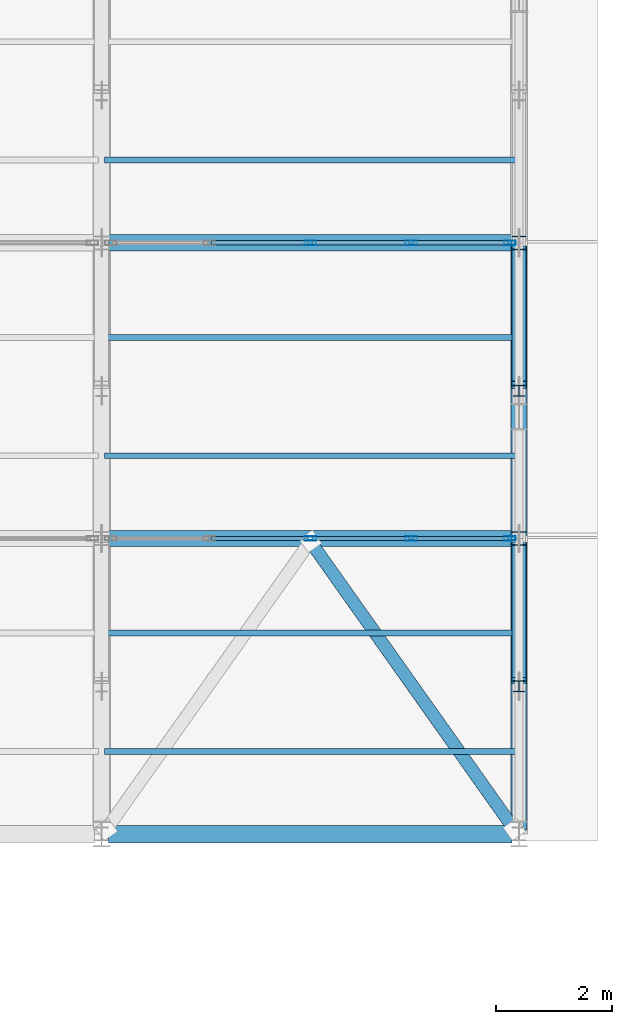
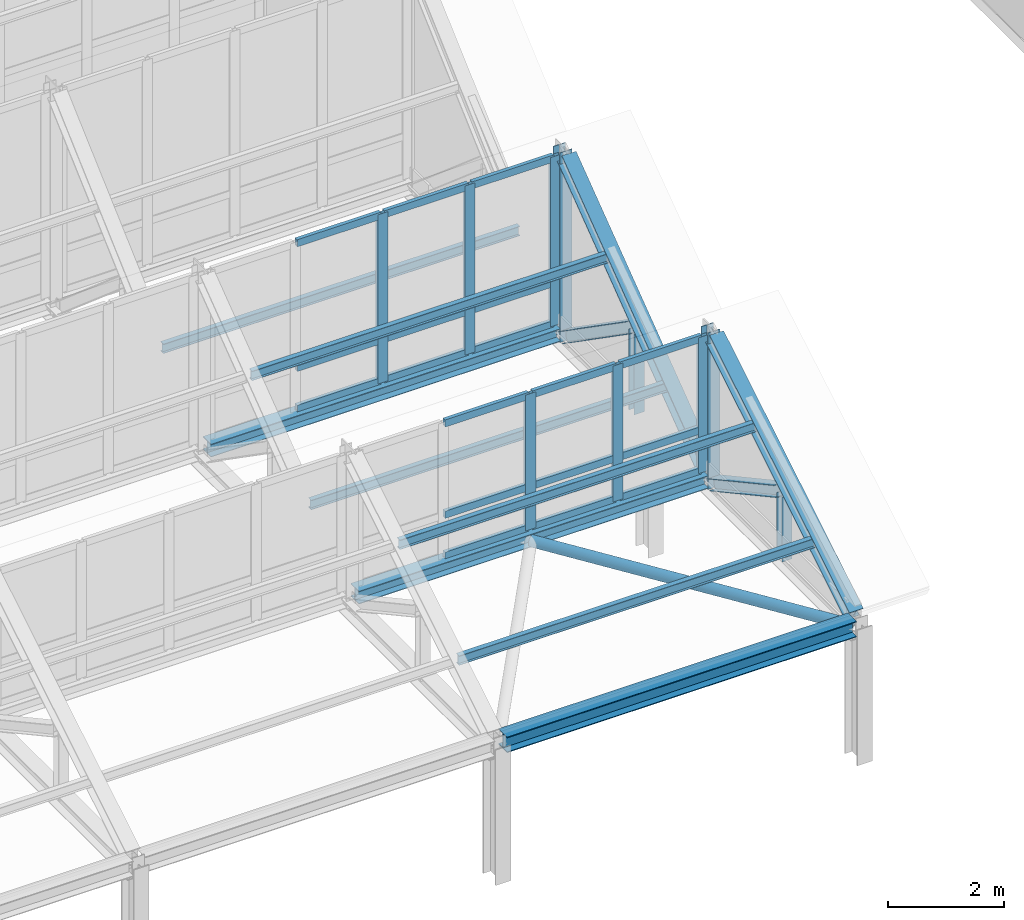
# One storey, part 31 of 157: 38 members, 3 beams, 2 elements without a shape of their own.
"""IFC4 building model written with IfcOpenShell, lengths in metres."""

from ifc_helpers import new_model, si_unit, direction, frame, origin, origin_2d, place, context, subcontext, project, spatial, hollow_rectangle, hollow_circle, i_section, extrude, material, material_profile, profile_set, type_object, element, aggregate, save


model = new_model("IFC4")

# Units and contexts
model_context = context("Model", 3, precision=1e-05, world=origin(), true_north=direction((0.0, 1.0)))
body_context = subcontext(model_context, "Body", "Model", "MODEL_VIEW")
ifc_project = project(units=[si_unit("LENGTHUNIT", "METRE"), si_unit("AREAUNIT", "SQUARE_METRE"), si_unit("VOLUMEUNIT", "CUBIC_METRE"), si_unit("PLANEANGLEUNIT", "RADIAN"), si_unit("MASSUNIT", "GRAM", prefix="KILO")], contexts=[model_context])

# Site, building, storey
site_placement = place(None, origin())
site = spatial("IfcSite", under=ifc_project, at=site_placement, CompositionType="ELEMENT")
building_placement = place(site_placement, origin())
building = spatial("IfcBuilding", under=site, at=building_placement, Name="Suanplinth Sawtooth Commons", CompositionType="ELEMENT")
storey_placement = place(building_placement, frame((0.0, 0.0, 9.0)))
storey = spatial("IfcBuildingStorey", under=building, at=storey_placement, Name="L02", CompositionType="ELEMENT", Elevation=9.0)

# Beams
ifc_material_1 = material(Name="Steel S355JR", Category="steel")
ifc_material_profile_1 = material_profile(ifc_material_1, i_section(OverallWidth=0.300048828125, OverallDepth=0.330078125, WebThickness=0.009521484375, FlangeThickness=0.0166015625, at=origin_2d()), Name="HEA 340")
ifc_profile_set_1 = profile_set([ifc_material_profile_1], Name="Steel S355JR")
beam_type_1 = type_object("IfcBeamType", Name="B-15", PredefinedType="USERDEFINED", material=ifc_profile_set_1)
beam_placement = place(storey_placement, frame((108.1201171875, 50.39990234375, 2.820068359375), z_axis=(1.0, 0.0, 0.0), x_axis=(0.0, 1.0, 0.0)))
element("IfcBeam", 1, at=beam_placement, inside=storey, type_object=beam_type_1, Name="Sawtooth Valley Girder T1-B7", ObjectType="GIRDER", PredefinedType="USERDEFINED", context=body_context, shape_type="SweptSolid", body=[
    extrude(i_section(OverallWidth=0.300048828125, OverallDepth=0.330078125, WebThickness=0.009521484375, FlangeThickness=0.0166015625, at=origin_2d()), origin(), (0.0, 0.0, 1.0), 6.9599609375),
])
ifc_material_profile_2 = material_profile(ifc_material_1, i_section(OverallWidth=0.280029296875, OverallDepth=0.27001953125, WebThickness=0.008056640625, FlangeThickness=0.012939453125, at=origin_2d()), Name="HEA 280")
ifc_profile_set_2 = profile_set([ifc_material_profile_2], Name="Steel S355JR")
beam_type_2 = type_object("IfcBeamType", Name="B-16", PredefinedType="USERDEFINED", material=ifc_profile_set_2)
for number, where, z_axis, x_axis, name in (
    (2, (108.1201171875, 55.5, 2.820068359375), (1.0, 0.0, 0.0), (0.0, 1.0, 0.0), "Sawtooth Valley Girder T2-B7"),
    (3, (108.1201171875, 60.60009765625, 2.820068359375), (1.0, 0.0, 0.0), (0.0, 1.0, 0.0), "Sawtooth Valley Girder T3-B7"),
):
    element("IfcBeam", number, at=place(storey_placement, frame(where, z_axis=z_axis, x_axis=x_axis)), inside=storey, type_object=beam_type_2, Name=name, ObjectType="GIRDER", PredefinedType="USERDEFINED", context=body_context, shape_type="SweptSolid", body=[
        extrude(i_section(OverallWidth=0.280029296875, OverallDepth=0.27001953125, WebThickness=0.008056640625, FlangeThickness=0.012939453125, at=origin_2d()), origin(), (0.0, 0.0, 1.0), 6.9599609375),
    ])

# Members
ifc_material_profile_3 = material_profile(ifc_material_1, i_section(OverallWidth=0.280029296875, OverallDepth=0.280029296875, WebThickness=0.010498046875, FlangeThickness=0.01806640625, at=origin_2d()), Name="HEB 280")
ifc_profile_set_3 = profile_set([ifc_material_profile_3], Name="Steel S355JR")
member_type_1 = type_object("IfcMemberType", Name="M-02", PredefinedType="CHORD", material=ifc_profile_set_3)
member_1_placement = place(storey_placement, frame((115.199951171875, 50.5400390625, 2.919921875), z_axis=(0.0, 0.855283356021, 0.51816057445), x_axis=(-1.0, 0.0, 0.0)))
element("IfcMember", 4, at=member_1_placement, inside=storey, type_object=member_type_1, Name="Sawtooth Truss T8 Top Chord 1", PredefinedType="CHORD", context=body_context, shape_type="SweptSolid", body=[
    extrude(i_section(OverallWidth=0.280029296875, OverallDepth=0.280029296875, WebThickness=0.010498046875, FlangeThickness=0.01806640625, at=origin_2d()), origin(), (0.0, 0.0, 1.0), 5.6357421875),
])
member_2_placement = place(storey_placement, frame((115.199951171875, 55.639892578125, 2.919921875), z_axis=(0.0, 0.799596436712, 0.600537707723), x_axis=(-1.0, 0.0, 0.0)))
element("IfcMember", 5, at=member_2_placement, inside=storey, type_object=member_type_1, Name="Sawtooth Truss T8 Top Chord 2", PredefinedType="CHORD", context=body_context, shape_type="SweptSolid", body=[
    extrude(i_section(OverallWidth=0.280029296875, OverallDepth=0.280029296875, WebThickness=0.010498046875, FlangeThickness=0.01806640625, at=origin_2d()), origin(), (0.0, 0.0, 1.0), 6.028076171875),
])
ifc_material_profile_4 = material_profile(ifc_material_1, i_section(OverallWidth=0.239990234375, OverallDepth=0.22998046875, WebThickness=0.007568359375, FlangeThickness=0.011962890625, at=origin_2d()), Name="HEA 240")
ifc_profile_set_4 = profile_set([ifc_material_profile_4], Name="Steel S355JR")
member_type_2 = type_object("IfcMemberType", Name="M-03", PredefinedType="BRACE", material=ifc_profile_set_4)
member_3_placement = place(storey_placement, frame((115.199951171875, 53.050048828125, 4.02001953125), z_axis=(0.0, 0.878022125023, -0.478620045517), x_axis=(-1.0, 0.0, 0.0)))
element("IfcMember", 6, at=member_3_placement, inside=storey, type_object=member_type_2, Name="Sawtooth Truss T8 Web Diagonal 1", PredefinedType="BRACE", context=body_context, shape_type="SweptSolid", body=[
    extrude(i_section(OverallWidth=0.239990234375, OverallDepth=0.22998046875, WebThickness=0.007568359375, FlangeThickness=0.011962890625, at=origin_2d()), origin(), (0.0, 0.0, 1.0), 2.653564453125),
])
member_4_placement = place(storey_placement, frame((115.199951171875, 58.14990234375, 4.3701171875), z_axis=(0.0, 0.821038438566, -0.570872912649), x_axis=(-1.0, 0.0, 0.0)))
element("IfcMember", 7, at=member_4_placement, inside=storey, type_object=member_type_2, Name="Sawtooth Truss T8 Web Diagonal 2", PredefinedType="BRACE", context=body_context, shape_type="SweptSolid", body=[
    extrude(i_section(OverallWidth=0.239990234375, OverallDepth=0.22998046875, WebThickness=0.007568359375, FlangeThickness=0.011962890625, at=origin_2d()), origin(), (0.0, 0.0, 1.0), 2.837890625),
])
ifc_material_profile_5 = material_profile(ifc_material_1, i_section(OverallWidth=0.199951171875, OverallDepth=0.18994140625, WebThickness=0.006591796875, FlangeThickness=0.010009765625, at=origin_2d()), Name="HEA 200")
ifc_profile_set_5 = profile_set([ifc_material_profile_5], Name="Steel S355JR")
member_type_3 = type_object("IfcMemberType", Name="M-04", PredefinedType="BRACE", material=ifc_profile_set_5)
member_5_placement = place(storey_placement, frame((115.199951171875, 52.949951171875, 2.64990234375), z_axis=(0.0, 0.0, 1.0), x_axis=(1.0, 0.0, 0.0)))
element("IfcMember", 8, at=member_5_placement, inside=storey, type_object=member_type_3, Name="Sawtooth Truss T8 Mid Web Post 1", PredefinedType="BRACE", context=body_context, shape_type="SweptSolid", body=[
    extrude(i_section(OverallWidth=0.199951171875, OverallDepth=0.18994140625, WebThickness=0.006591796875, FlangeThickness=0.010009765625, at=origin_2d()), origin(), (0.0, 0.0, 1.0), 1.35009765625),
])
member_6_placement = place(storey_placement, frame((115.199951171875, 58.050048828125, 2.64990234375), z_axis=(0.0, 0.0, 1.0), x_axis=(1.0, 0.0, 0.0)))
element("IfcMember", 9, at=member_6_placement, inside=storey, type_object=member_type_3, Name="Sawtooth Truss T8 Mid Web Post 2", PredefinedType="BRACE", context=body_context, shape_type="SweptSolid", body=[
    extrude(i_section(OverallWidth=0.199951171875, OverallDepth=0.18994140625, WebThickness=0.006591796875, FlangeThickness=0.010009765625, at=origin_2d()), origin(), (0.0, 0.0, 1.0), 1.7001953125),
])
ifc_material_profile_6 = material_profile(ifc_material_1, i_section(OverallWidth=0.239990234375, OverallDepth=0.239990234375, WebThickness=0.010009765625, FlangeThickness=0.01708984375, at=origin_2d()), Name="HEB 240")
ifc_profile_set_6 = profile_set([ifc_material_profile_6], Name="Steel S355JR")
member_type_4 = type_object("IfcMemberType", Name="M-05", PredefinedType="POST", material=ifc_profile_set_6)
member_7_placement = place(storey_placement, frame((115.199951171875, 55.5, 2.64990234375), z_axis=(0.0, 0.0, 1.0), x_axis=(1.0, 0.0, 0.0)))
element("IfcMember", 10, at=member_7_placement, inside=storey, type_object=member_type_4, Name="Sawtooth Truss T8 Clerestory Post 1", PredefinedType="POST", context=body_context, shape_type="SweptSolid", body=[
    extrude(i_section(OverallWidth=0.239990234375, OverallDepth=0.239990234375, WebThickness=0.010009765625, FlangeThickness=0.01708984375, at=origin_2d()), origin(), (0.0, 0.0, 1.0), 3.2900390625),
])
member_8_placement = place(storey_placement, frame((115.199951171875, 60.60009765625, 2.64990234375), z_axis=(0.0, 0.0, 1.0), x_axis=(1.0, 0.0, 0.0)))
element("IfcMember", 11, at=member_8_placement, inside=storey, type_object=member_type_4, Name="Sawtooth Truss T8 Clerestory Post 2", PredefinedType="POST", context=body_context, shape_type="SweptSolid", body=[
    extrude(i_section(OverallWidth=0.239990234375, OverallDepth=0.239990234375, WebThickness=0.010009765625, FlangeThickness=0.01708984375, at=origin_2d()), origin(), (0.0, 0.0, 1.0), 3.989990234375),
])
ifc_material_2 = material(Name="Steel SS400", Category="steel")
ifc_material_profile_7 = material_profile(ifc_material_2, i_section(OverallWidth=0.10009765625, OverallDepth=0.199951171875, WebThickness=0.005615234375, FlangeThickness=0.008544921875, at=origin_2d()), Name="IPE 200")
ifc_profile_set_7 = profile_set([ifc_material_profile_7], Name="Steel SS400")
member_type_5 = type_object("IfcMemberType", Name="M-06", PredefinedType="PURLIN", material=ifc_profile_set_7)
for number, where, z_axis, x_axis, name in (
    (12, (108.050048828125, 51.827880859375, 3.691162109375), (1.0, 0.0, 0.0), (0.0, 1.0, 0.0), "Sawtooth Roof Purlin T1-B7-P1"),
    (13, (108.050048828125, 53.867919921875, 4.89111328125), (1.0, 0.0, 0.0), (0.0, 1.0, 0.0), "Sawtooth Roof Purlin T1-B7-P2"),
    (14, (108.050048828125, 56.927978515625, 3.87353515625), (1.0, 0.0, 0.0), (0.0, 1.0, 0.0), "Sawtooth Roof Purlin T2-B7-P1"),
    (15, (108.050048828125, 58.968017578125, 5.353515625), (1.0, 0.0, 0.0), (0.0, 1.0, 0.0), "Sawtooth Roof Purlin T2-B7-P2"),
    (16, (108.050048828125, 62.028076171875, 4.067138671875), (1.0, 0.0, 0.0), (0.0, 1.0, 0.0), "Sawtooth Roof Purlin T3-B7-P1"),
):
    element("IfcMember", number, at=place(storey_placement, frame(where, z_axis=z_axis, x_axis=x_axis)), inside=storey, type_object=member_type_5, Name=name, PredefinedType="PURLIN", context=body_context, shape_type="SweptSolid", body=[
        extrude(i_section(OverallWidth=0.10009765625, OverallDepth=0.199951171875, WebThickness=0.005615234375, FlangeThickness=0.008544921875, at=origin_2d()), origin(), (0.0, 0.0, 1.0), 7.099853515625),
    ])
ifc_material_profile_8 = material_profile(ifc_material_1, hollow_circle(Radius=0.109619140625, WallThickness=0.010009765625, at=origin_2d()), Name="CHS 219.1x10")
ifc_profile_set_8 = profile_set([ifc_material_profile_8], Name="Steel S355JR")
member_type_6 = type_object("IfcMemberType", Name="M-08", PredefinedType="BRACE", material=ifc_profile_set_8)
member_9_placement = place(storey_placement, frame((115.1201171875, 50.47998046875, 2.75), z_axis=(-0.577976187019, 0.816053630125, 0.0), x_axis=(-0.816053630125, -0.577976187019, 0.0)))
element("IfcMember", 17, at=member_9_placement, inside=storey, type_object=member_type_6, Name="Sawtooth Roof Plan Brace B7-2", PredefinedType="BRACE", context=body_context, shape_type="SweptSolid", body=[
    extrude(hollow_circle(Radius=0.109619140625, WallThickness=0.010009765625, at=origin_2d()), origin(), (0.0, 0.0, 1.0), 6.09033203125),
])

# Curtain wall, members
ifc_material_3 = material(Name="Anodized aluminium and low-E glazing", Category="aluminium")
curtain_wall_type = type_object("IfcCurtainWallType", Name="CW-03", PredefinedType="USERDEFINED", material=ifc_material_3)
curtain_wall_1_placement = place(storey_placement, origin())
curtain_wall_1 = element("IfcCurtainWall", 18, at=curtain_wall_1_placement, inside=storey, type_object=curtain_wall_type, Name="Curtain Wall CW-SAW-T1-B7", ObjectType="CURTAIN WALL", PredefinedType="USERDEFINED")
ifc_material_4 = material(Name="Anodized aluminium 6063-T6", Category="aluminium")
ifc_material_profile_9 = material_profile(ifc_material_4, hollow_rectangle(XDim=0.074951171875, YDim=0.199951171875, WallThickness=0.0048828125, at=origin_2d()), Name="ALU-MUL 75x200")
ifc_profile_set_9 = profile_set([ifc_material_profile_9], Name="Anodized aluminium 6063-T6")
member_type_7 = type_object("IfcMemberType", Name="M-14", PredefinedType="MULLION", material=ifc_profile_set_9)
member_10_placement = place(storey_placement, frame((111.60009765625, 55.5, 2.97998046875), z_axis=(0.0, 0.0, 1.0), x_axis=(0.0, 1.0, 0.0)))
member_10 = element("IfcMember", 19, at=member_10_placement, type_object=member_type_7, Name="CW-03 mullion 3", PredefinedType="MULLION", context=body_context, shape_type="SweptSolid", body=[
    extrude(hollow_rectangle(XDim=0.074951171875, YDim=0.199951171875, WallThickness=0.0048828125, at=origin_2d()), origin(), (0.0, 0.0, 1.0), 2.860107421875),
])
member_11_placement = place(storey_placement, frame((113.340087890625, 55.5, 2.97998046875), z_axis=(0.0, 0.0, 1.0), x_axis=(0.0, 1.0, 0.0)))
member_11 = element("IfcMember", 20, at=member_11_placement, type_object=member_type_7, Name="CW-03 mullion 4", PredefinedType="MULLION", context=body_context, shape_type="SweptSolid", body=[
    extrude(hollow_rectangle(XDim=0.074951171875, YDim=0.199951171875, WallThickness=0.0048828125, at=origin_2d()), origin(), (0.0, 0.0, 1.0), 2.860107421875),
])
member_12_placement = place(storey_placement, frame((115.04248046875, 55.5, 2.97998046875), z_axis=(0.0, 0.0, 1.0), x_axis=(0.0, 1.0, 0.0)))
member_12 = element("IfcMember", 21, at=member_12_placement, type_object=member_type_7, Name="CW-03 mullion 5", PredefinedType="MULLION", context=body_context, shape_type="SweptSolid", body=[
    extrude(hollow_rectangle(XDim=0.074951171875, YDim=0.199951171875, WallThickness=0.0048828125, at=origin_2d()), origin(), (0.0, 0.0, 1.0), 2.860107421875),
])

curtain_wall_2_placement = place(storey_placement, origin())
curtain_wall_2 = element("IfcCurtainWall", 22, at=curtain_wall_2_placement, inside=storey, type_object=curtain_wall_type, Name="Curtain Wall CW-SAW-T2-B7", ObjectType="CURTAIN WALL", PredefinedType="USERDEFINED")
member_13_placement = place(storey_placement, frame((111.60009765625, 60.60009765625, 2.97998046875), z_axis=(0.0, 0.0, 1.0), x_axis=(0.0, 1.0, 0.0)))
member_13 = element("IfcMember", 23, at=member_13_placement, type_object=member_type_7, Name="CW-03 mullion 3", PredefinedType="MULLION", context=body_context, shape_type="SweptSolid", body=[
    extrude(hollow_rectangle(XDim=0.074951171875, YDim=0.199951171875, WallThickness=0.0048828125, at=origin_2d()), origin(), (0.0, 0.0, 1.0), 3.56005859375),
])
member_14_placement = place(storey_placement, frame((113.340087890625, 60.60009765625, 2.97998046875), z_axis=(0.0, 0.0, 1.0), x_axis=(0.0, 1.0, 0.0)))
member_14 = element("IfcMember", 24, at=member_14_placement, type_object=member_type_7, Name="CW-03 mullion 4", PredefinedType="MULLION", context=body_context, shape_type="SweptSolid", body=[
    extrude(hollow_rectangle(XDim=0.074951171875, YDim=0.199951171875, WallThickness=0.0048828125, at=origin_2d()), origin(), (0.0, 0.0, 1.0), 3.56005859375),
])
member_15_placement = place(storey_placement, frame((115.04248046875, 60.60009765625, 2.97998046875), z_axis=(0.0, 0.0, 1.0), x_axis=(0.0, 1.0, 0.0)))
member_15 = element("IfcMember", 25, at=member_15_placement, type_object=member_type_7, Name="CW-03 mullion 5", PredefinedType="MULLION", context=body_context, shape_type="SweptSolid", body=[
    extrude(hollow_rectangle(XDim=0.074951171875, YDim=0.199951171875, WallThickness=0.0048828125, at=origin_2d()), origin(), (0.0, 0.0, 1.0), 3.56005859375),
])

# Member
ifc_material_profile_10 = material_profile(ifc_material_4, hollow_rectangle(XDim=0.074951171875, YDim=0.14990234375, WallThickness=0.00439453125, at=origin_2d()), Name="ALU-TRN 75x150")
ifc_profile_set_10 = profile_set([ifc_material_profile_10], Name="Anodized aluminium 6063-T6")
member_type_8 = type_object("IfcMemberType", Name="M-16", PredefinedType="USERDEFINED", material=ifc_profile_set_10)
member_16_placement = place(storey_placement, frame((109.8974609375, 55.5, 3.017578125), z_axis=(1.0, 0.0, 0.0), x_axis=(0.0, 1.0, 0.0)))
member_16 = element("IfcMember", 26, at=member_16_placement, type_object=member_type_8, Name="CW-03 transom 2.1", ObjectType="TRANSOM", PredefinedType="USERDEFINED", context=body_context, shape_type="SweptSolid", body=[
    extrude(hollow_rectangle(XDim=0.074951171875, YDim=0.14990234375, WallThickness=0.00439453125, at=origin_2d()), origin(), (0.0, 0.0, 1.0), 1.6650390625),
])

member_17_placement = place(storey_placement, frame((109.8974609375, 55.5, 3.8798828125), z_axis=(1.0, 0.0, 0.0), x_axis=(0.0, 1.0, 0.0)))
member_17 = element("IfcMember", 27, at=member_17_placement, type_object=member_type_8, Name="CW-03 transom 2.2", ObjectType="TRANSOM", PredefinedType="USERDEFINED", context=body_context, shape_type="SweptSolid", body=[
    extrude(hollow_rectangle(XDim=0.074951171875, YDim=0.14990234375, WallThickness=0.00439453125, at=origin_2d()), origin(), (0.0, 0.0, 1.0), 1.6650390625),
])

member_18_placement = place(storey_placement, frame((109.8974609375, 55.5, 5.802490234375), z_axis=(1.0, 0.0, 0.0), x_axis=(0.0, 1.0, 0.0)))
member_18 = element("IfcMember", 28, at=member_18_placement, type_object=member_type_8, Name="CW-03 transom 2.3", ObjectType="TRANSOM", PredefinedType="USERDEFINED", context=body_context, shape_type="SweptSolid", body=[
    extrude(hollow_rectangle(XDim=0.074951171875, YDim=0.14990234375, WallThickness=0.00439453125, at=origin_2d()), origin(), (0.0, 0.0, 1.0), 1.6650390625),
])

member_19_placement = place(storey_placement, frame((111.637451171875, 55.5, 3.017578125), z_axis=(1.0, 0.0, 0.0), x_axis=(0.0, 1.0, 0.0)))
member_19 = element("IfcMember", 29, at=member_19_placement, type_object=member_type_8, Name="CW-03 transom 3.1", ObjectType="TRANSOM", PredefinedType="USERDEFINED", context=body_context, shape_type="SweptSolid", body=[
    extrude(hollow_rectangle(XDim=0.074951171875, YDim=0.14990234375, WallThickness=0.00439453125, at=origin_2d()), origin(), (0.0, 0.0, 1.0), 1.6650390625),
])

member_20_placement = place(storey_placement, frame((111.637451171875, 55.5, 3.8798828125), z_axis=(1.0, 0.0, 0.0), x_axis=(0.0, 1.0, 0.0)))
member_20 = element("IfcMember", 30, at=member_20_placement, type_object=member_type_8, Name="CW-03 transom 3.2", ObjectType="TRANSOM", PredefinedType="USERDEFINED", context=body_context, shape_type="SweptSolid", body=[
    extrude(hollow_rectangle(XDim=0.074951171875, YDim=0.14990234375, WallThickness=0.00439453125, at=origin_2d()), origin(), (0.0, 0.0, 1.0), 1.6650390625),
])

member_21_placement = place(storey_placement, frame((111.637451171875, 55.5, 5.802490234375), z_axis=(1.0, 0.0, 0.0), x_axis=(0.0, 1.0, 0.0)))
member_21 = element("IfcMember", 31, at=member_21_placement, type_object=member_type_8, Name="CW-03 transom 3.3", ObjectType="TRANSOM", PredefinedType="USERDEFINED", context=body_context, shape_type="SweptSolid", body=[
    extrude(hollow_rectangle(XDim=0.074951171875, YDim=0.14990234375, WallThickness=0.00439453125, at=origin_2d()), origin(), (0.0, 0.0, 1.0), 1.6650390625),
])

member_22_placement = place(storey_placement, frame((113.37744140625, 55.5, 3.017578125), z_axis=(1.0, 0.0, 0.0), x_axis=(0.0, 1.0, 0.0)))
member_22 = element("IfcMember", 32, at=member_22_placement, type_object=member_type_8, Name="CW-03 transom 4.1", ObjectType="TRANSOM", PredefinedType="USERDEFINED", context=body_context, shape_type="SweptSolid", body=[
    extrude(hollow_rectangle(XDim=0.074951171875, YDim=0.14990234375, WallThickness=0.00439453125, at=origin_2d()), origin(), (0.0, 0.0, 1.0), 1.62744140625),
])

member_23_placement = place(storey_placement, frame((113.37744140625, 55.5, 3.8798828125), z_axis=(1.0, 0.0, 0.0), x_axis=(0.0, 1.0, 0.0)))
member_23 = element("IfcMember", 33, at=member_23_placement, type_object=member_type_8, Name="CW-03 transom 4.2", ObjectType="TRANSOM", PredefinedType="USERDEFINED", context=body_context, shape_type="SweptSolid", body=[
    extrude(hollow_rectangle(XDim=0.074951171875, YDim=0.14990234375, WallThickness=0.00439453125, at=origin_2d()), origin(), (0.0, 0.0, 1.0), 1.62744140625),
])

member_24_placement = place(storey_placement, frame((113.37744140625, 55.5, 5.802490234375), z_axis=(1.0, 0.0, 0.0), x_axis=(0.0, 1.0, 0.0)))
member_24 = element("IfcMember", 34, at=member_24_placement, type_object=member_type_8, Name="CW-03 transom 4.3", ObjectType="TRANSOM", PredefinedType="USERDEFINED", context=body_context, shape_type="SweptSolid", body=[
    extrude(hollow_rectangle(XDim=0.074951171875, YDim=0.14990234375, WallThickness=0.00439453125, at=origin_2d()), origin(), (0.0, 0.0, 1.0), 1.62744140625),
])

aggregate(curtain_wall_1, [member_10, member_11, member_12, member_16, member_17, member_18, member_19, member_20, member_21, member_22, member_23, member_24])

member_25_placement = place(storey_placement, frame((109.8974609375, 60.60009765625, 3.017578125), z_axis=(1.0, 0.0, 0.0), x_axis=(0.0, 1.0, 0.0)))
member_25 = element("IfcMember", 35, at=member_25_placement, type_object=member_type_8, Name="CW-03 transom 2.1", ObjectType="TRANSOM", PredefinedType="USERDEFINED", context=body_context, shape_type="SweptSolid", body=[
    extrude(hollow_rectangle(XDim=0.074951171875, YDim=0.14990234375, WallThickness=0.00439453125, at=origin_2d()), origin(), (0.0, 0.0, 1.0), 1.6650390625),
])

member_26_placement = place(storey_placement, frame((109.8974609375, 60.60009765625, 3.8798828125), z_axis=(1.0, 0.0, 0.0), x_axis=(0.0, 1.0, 0.0)))
member_26 = element("IfcMember", 36, at=member_26_placement, type_object=member_type_8, Name="CW-03 transom 2.2", ObjectType="TRANSOM", PredefinedType="USERDEFINED", context=body_context, shape_type="SweptSolid", body=[
    extrude(hollow_rectangle(XDim=0.074951171875, YDim=0.14990234375, WallThickness=0.00439453125, at=origin_2d()), origin(), (0.0, 0.0, 1.0), 1.6650390625),
])

member_27_placement = place(storey_placement, frame((109.8974609375, 60.60009765625, 6.50244140625), z_axis=(1.0, 0.0, 0.0), x_axis=(0.0, 1.0, 0.0)))
member_27 = element("IfcMember", 37, at=member_27_placement, type_object=member_type_8, Name="CW-03 transom 2.3", ObjectType="TRANSOM", PredefinedType="USERDEFINED", context=body_context, shape_type="SweptSolid", body=[
    extrude(hollow_rectangle(XDim=0.074951171875, YDim=0.14990234375, WallThickness=0.00439453125, at=origin_2d()), origin(), (0.0, 0.0, 1.0), 1.6650390625),
])

member_28_placement = place(storey_placement, frame((111.637451171875, 60.60009765625, 3.017578125), z_axis=(1.0, 0.0, 0.0), x_axis=(0.0, 1.0, 0.0)))
member_28 = element("IfcMember", 38, at=member_28_placement, type_object=member_type_8, Name="CW-03 transom 3.1", ObjectType="TRANSOM", PredefinedType="USERDEFINED", context=body_context, shape_type="SweptSolid", body=[
    extrude(hollow_rectangle(XDim=0.074951171875, YDim=0.14990234375, WallThickness=0.00439453125, at=origin_2d()), origin(), (0.0, 0.0, 1.0), 1.6650390625),
])

member_29_placement = place(storey_placement, frame((111.637451171875, 60.60009765625, 3.8798828125), z_axis=(1.0, 0.0, 0.0), x_axis=(0.0, 1.0, 0.0)))
member_29 = element("IfcMember", 39, at=member_29_placement, type_object=member_type_8, Name="CW-03 transom 3.2", ObjectType="TRANSOM", PredefinedType="USERDEFINED", context=body_context, shape_type="SweptSolid", body=[
    extrude(hollow_rectangle(XDim=0.074951171875, YDim=0.14990234375, WallThickness=0.00439453125, at=origin_2d()), origin(), (0.0, 0.0, 1.0), 1.6650390625),
])

member_30_placement = place(storey_placement, frame((111.637451171875, 60.60009765625, 6.50244140625), z_axis=(1.0, 0.0, 0.0), x_axis=(0.0, 1.0, 0.0)))
member_30 = element("IfcMember", 40, at=member_30_placement, type_object=member_type_8, Name="CW-03 transom 3.3", ObjectType="TRANSOM", PredefinedType="USERDEFINED", context=body_context, shape_type="SweptSolid", body=[
    extrude(hollow_rectangle(XDim=0.074951171875, YDim=0.14990234375, WallThickness=0.00439453125, at=origin_2d()), origin(), (0.0, 0.0, 1.0), 1.6650390625),
])

member_31_placement = place(storey_placement, frame((113.37744140625, 60.60009765625, 3.017578125), z_axis=(1.0, 0.0, 0.0), x_axis=(0.0, 1.0, 0.0)))
member_31 = element("IfcMember", 41, at=member_31_placement, type_object=member_type_8, Name="CW-03 transom 4.1", ObjectType="TRANSOM", PredefinedType="USERDEFINED", context=body_context, shape_type="SweptSolid", body=[
    extrude(hollow_rectangle(XDim=0.074951171875, YDim=0.14990234375, WallThickness=0.00439453125, at=origin_2d()), origin(), (0.0, 0.0, 1.0), 1.62744140625),
])

member_32_placement = place(storey_placement, frame((113.37744140625, 60.60009765625, 3.8798828125), z_axis=(1.0, 0.0, 0.0), x_axis=(0.0, 1.0, 0.0)))
member_32 = element("IfcMember", 42, at=member_32_placement, type_object=member_type_8, Name="CW-03 transom 4.2", ObjectType="TRANSOM", PredefinedType="USERDEFINED", context=body_context, shape_type="SweptSolid", body=[
    extrude(hollow_rectangle(XDim=0.074951171875, YDim=0.14990234375, WallThickness=0.00439453125, at=origin_2d()), origin(), (0.0, 0.0, 1.0), 1.62744140625),
])

member_33_placement = place(storey_placement, frame((113.37744140625, 60.60009765625, 6.50244140625), z_axis=(1.0, 0.0, 0.0), x_axis=(0.0, 1.0, 0.0)))
member_33 = element("IfcMember", 43, at=member_33_placement, type_object=member_type_8, Name="CW-03 transom 4.3", ObjectType="TRANSOM", PredefinedType="USERDEFINED", context=body_context, shape_type="SweptSolid", body=[
    extrude(hollow_rectangle(XDim=0.074951171875, YDim=0.14990234375, WallThickness=0.00439453125, at=origin_2d()), origin(), (0.0, 0.0, 1.0), 1.62744140625),
])

aggregate(curtain_wall_2, [member_13, member_14, member_15, member_25, member_26, member_27, member_28, member_29, member_30, member_31, member_32, member_33])

save(model, "model.ifc")
